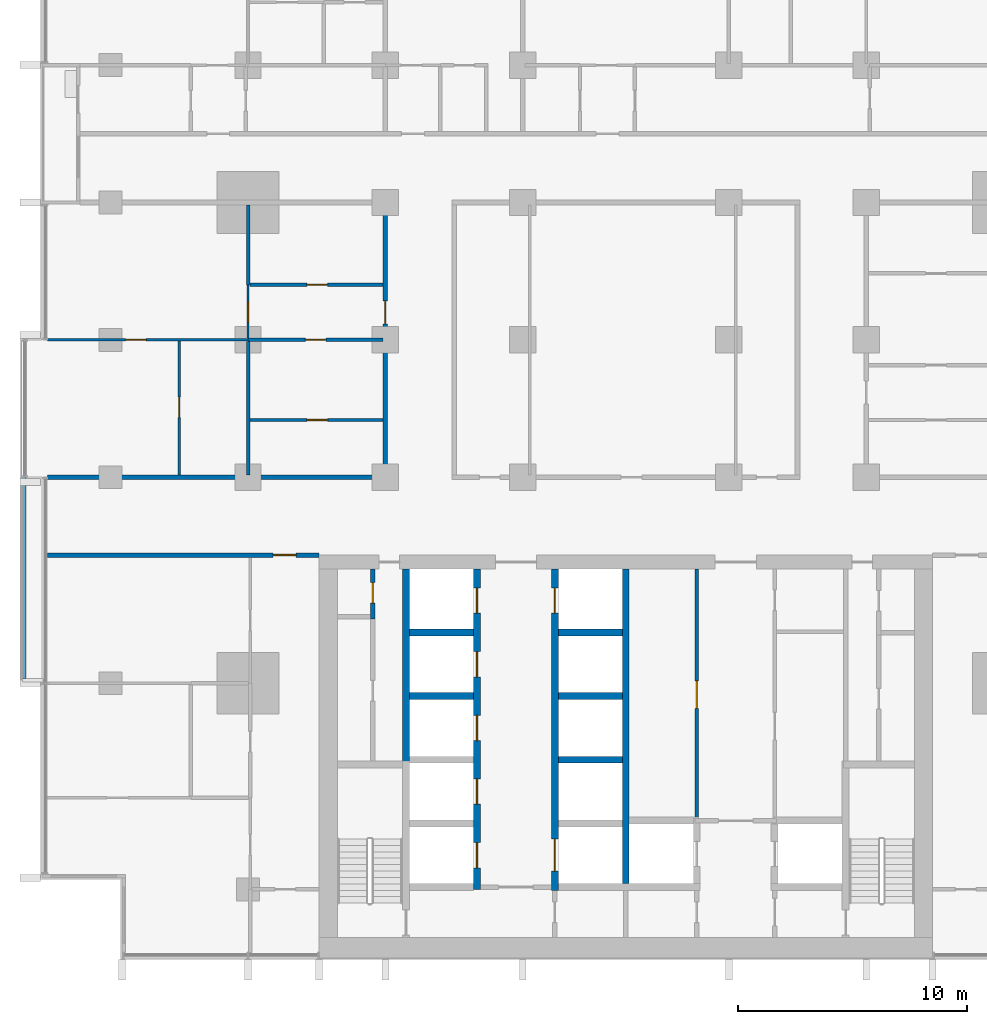
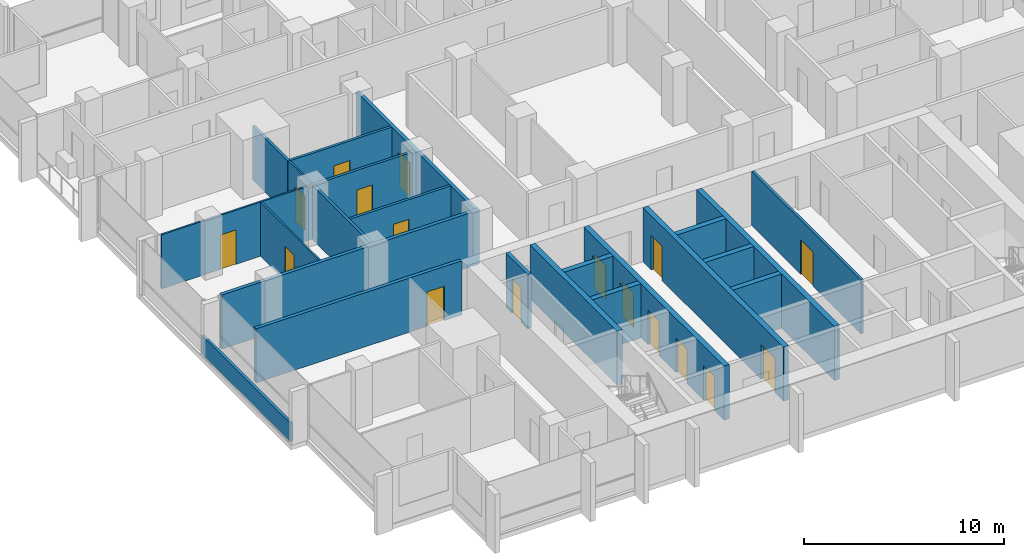
# One storey, part 8 of 18: 23 walls, 17 doors, 17 openings.
"""IFC4 building model written with IfcOpenShell, lengths in metres."""

import ifcopenshell
import ifcopenshell.guid

model = None  # the IFC model being written
_history = None  # IfcOwnerHistory: only IFC2X3 demands one
_inside = {}  # id of a spatial element -> (the spatial element, [elements in it])
_under = {}  # id of a project, library or spatial element -> (it, [spatial elements below it])
_declared = {}  # id of a project -> (the project, [libraries it declares])
_typed = {}  # id of a type object -> (the type object, [elements of that type])
_made_of = {}  # id of a material, layer set ... -> (it, [elements and type objects made of it])


def new_model(schema):
    """Start an empty IFC model of exactly this schema.

    Asked for "IFC4X3", IfcOpenShell would pick the latest addendum, in which some entities
    have other attributes; the version numbers below select the first issue.
    IFC2X3 requires an IfcOwnerHistory on every rooted entity: one is made here for all.
    """
    global model, _history
    if schema == "IFC4X3":
        model = ifcopenshell.file(schema_version=(4, 3, 0, 0))
    else:
        model = ifcopenshell.file(schema=schema)
    _inside.clear()
    _under.clear()
    _declared.clear()
    _typed.clear()
    _made_of.clear()
    _history = None
    if model.schema == "IFC2X3":
        org = make("IfcOrganization", Name="unknown")
        user = make(
            "IfcPersonAndOrganization",
            ThePerson=make("IfcPerson", FamilyName="unknown"),
            TheOrganization=org,
        )
        app = make(
            "IfcApplication",
            ApplicationDeveloper=org,
            Version="unknown",
            ApplicationFullName="unknown",
            ApplicationIdentifier="unknown",
        )
        _history = make(
            "IfcOwnerHistory",
            OwningUser=user,
            OwningApplication=app,
            ChangeAction="ADDED",
            CreationDate=0,
        )
    return model


def make(cls, **values):
    """One entity of the class cls with the attributes given. An attribute that is None is left unset."""
    return model.create_entity(
        cls, **{name: value for name, value in values.items() if value is not None}
    )


def rooted(cls, **values):
    """An entity with a GlobalId (a new one), such as an element, a storey or a relation."""
    return make(cls, GlobalId=ifcopenshell.guid.new(), OwnerHistory=_history, **values)


def si_unit(unit_type, name, prefix=None):
    """IfcSIUnit, for example si_unit("LENGTHUNIT", "METRE", prefix="MILLI")."""
    return make("IfcSIUnit", UnitType=unit_type, Prefix=prefix, Name=name)


def assignment(units):
    """IfcUnitAssignment: the units of a project."""
    return None if units is None else make("IfcUnitAssignment", Units=units)


def point(xyz):
    """IfcCartesianPoint."""
    return None if xyz is None else make("IfcCartesianPoint", Coordinates=xyz)


def direction(xyz):
    """IfcDirection."""
    return None if xyz is None else make("IfcDirection", DirectionRatios=xyz)


def frame(location, z_axis=None, x_axis=None):
    """IfcAxis2Placement3D, a coordinate frame: its origin and axes. An axis left out is left unset."""
    return make(
        "IfcAxis2Placement3D",
        Location=point(location),
        Axis=direction(z_axis),
        RefDirection=direction(x_axis),
    )


def frame_2d(location, x_axis=None):
    """IfcAxis2Placement2D, a coordinate frame in the plane: its origin and x axis."""
    return make(
        "IfcAxis2Placement2D", Location=point(location), RefDirection=direction(x_axis)
    )


def origin():
    """The frame at (0, 0, 0) with its axes left unset."""
    return frame((0.0, 0.0, 0.0))


def place(relative_to, where):
    """IfcLocalPlacement: puts the frame where relative to a parent placement (None: the world)."""
    return make(
        "IfcLocalPlacement", PlacementRelTo=relative_to, RelativePlacement=where
    )


def context(
    kind, dimensions, precision=None, world=None, true_north=None, identifier=None
):
    """IfcGeometricRepresentationContext, for example the 3D "Model" context."""
    return make(
        "IfcGeometricRepresentationContext",
        ContextIdentifier=identifier,
        ContextType=kind,
        CoordinateSpaceDimension=dimensions,
        Precision=precision,
        WorldCoordinateSystem=world,
        TrueNorth=true_north,
    )


def subcontext(parent, identifier, kind, view, scale=None):
    """IfcGeometricRepresentationSubContext, for example "Body" below "Model"."""
    return make(
        "IfcGeometricRepresentationSubContext",
        ContextIdentifier=identifier,
        ContextType=kind,
        ParentContext=parent,
        TargetScale=scale,
        TargetView=view,
    )


def project(units=None, contexts=None):
    """IfcProject with its units and contexts."""
    return rooted(
        "IfcProject",
        Name="project",
        RepresentationContexts=contexts,
        UnitsInContext=assignment(units),
    )


def spatial(cls, under=None, at=None, **own):
    """A site, building, storey or space (cls), placed at a placement, below another one or the project."""
    s = rooted(cls, ObjectPlacement=at, **own)
    if under is not None:
        _under.setdefault(under.id(), (under, []))[1].append(s)
    return s


def profile(cls, at=None, kind="AREA", **sizes):
    """A parametric profile (cls). Its sizes go by their IFC names, for example OverallWidth=200.0."""
    return make(cls, ProfileType=kind, Position=at, **sizes)


def rectangle(**sizes):
    """IfcRectangleProfileDef."""
    return profile("IfcRectangleProfileDef", **sizes)


def extrude(swept, where, along, depth):
    """IfcExtrudedAreaSolid: the profile swept, set in the frame where, extruded along a direction by depth."""
    return make(
        "IfcExtrudedAreaSolid",
        SweptArea=swept,
        Position=where,
        ExtrudedDirection=direction(along),
        Depth=depth,
    )


def shape(context_of_items, identifier, shape_type, items):
    """IfcShapeRepresentation: the items that make up one representation, for example the "Body"."""
    return make(
        "IfcShapeRepresentation",
        ContextOfItems=context_of_items,
        RepresentationIdentifier=identifier,
        RepresentationType=shape_type,
        Items=items,
    )


def material(Name=None, Category=None):
    """IfcMaterial."""
    return make("IfcMaterial", Name=Name, Category=Category)


def layer(
    of_material, thickness, ventilated=None, Name=None, Category=None, Priority=None
):
    """IfcMaterialLayer: one layer of a wall or slab, of a material (None: an air gap)."""
    return make(
        "IfcMaterialLayer",
        Material=of_material,
        LayerThickness=thickness,
        IsVentilated=ventilated,
        Name=Name,
        Category=Category,
        Priority=Priority,
    )


def layer_set(layers, Name=None):
    """IfcMaterialLayerSet."""
    return make("IfcMaterialLayerSet", MaterialLayers=layers, LayerSetName=Name)


def made_of(thing, what):
    """Note that an element or type object is made of a material, layer set ...; save() writes the relation."""
    if what is not None:
        _made_of.setdefault(what.id(), (what, []))[1].append(thing)
    return thing


def type_object(cls, material=None, **own):
    """A type object (cls), such as IfcWallType, which elements share."""
    return made_of(rooted(cls, **own), material)


def element(
    cls,
    number,
    at=None,
    inside=None,
    cuts=None,
    type_object=None,
    material=None,
    context=None,
    identifier="Body",
    shape_type=None,
    held_by="IfcProductDefinitionShape",
    body=None,
    shapes=None,
    **own,
):
    """One element of the class cls, such as IfcWall. Its Tag is "e" and its number.

    at: its placement. inside: the storey or other place that contains it. cuts: it is an
    opening in that element (IfcRelVoidsElement). A single representation is given by context,
    identifier, shape_type and body (its items); several are given by shapes. held_by: the class
    of the entity that holds the representations. save() writes the other relations.
    """
    e = rooted(cls, Tag="e%d" % number, ObjectPlacement=at, **own)
    if body is not None:
        shapes = [shape(context, identifier, shape_type, body)]
    if shapes is not None:
        e.Representation = make(held_by, Representations=shapes)
    if inside is not None:
        _inside.setdefault(inside.id(), (inside, []))[1].append(e)
    if cuts is not None:
        rooted(
            "IfcRelVoidsElement", RelatingBuildingElement=cuts, RelatedOpeningElement=e
        )
    if type_object is not None:
        _typed.setdefault(type_object.id(), (type_object, []))[1].append(e)
    return made_of(e, material)


def fill(opening, filler):
    """IfcRelFillsElement: the door or window that sits in an opening."""
    return rooted(
        "IfcRelFillsElement",
        RelatingOpeningElement=opening,
        RelatedBuildingElement=filler,
    )


def aggregate(whole, parts):
    """IfcRelAggregates: a whole, such as a stair, and the parts it consists of."""
    return rooted("IfcRelAggregates", RelatingObject=whole, RelatedObjects=parts)


def save(model, path):
    """Write the relations noted so far, then the file.

    IfcRelAggregates (storeys below a building ...), IfcRelContainedInSpatialStructure (elements
    in a storey), IfcRelDefinesByType, IfcRelAssociatesMaterial and IfcRelDeclares: one each for
    every whole, place, type object, material and project.
    """
    for whole, parts in _under.values():
        aggregate(whole, parts)
    for where, things in _inside.values():
        rooted(
            "IfcRelContainedInSpatialStructure",
            RelatedElements=things,
            RelatingStructure=where,
        )
    for kind, things in _typed.values():
        rooted("IfcRelDefinesByType", RelatedObjects=things, RelatingType=kind)
    for what, things in _made_of.values():
        rooted("IfcRelAssociatesMaterial", RelatedObjects=things, RelatingMaterial=what)
    for by, libraries in _declared.values():
        rooted("IfcRelDeclares", RelatingContext=by, RelatedDefinitions=libraries)
    model.write(path)


model = new_model("IFC4")

# Units and contexts
model_context = context("Model", 3, precision=1e-05, world=origin(), true_north=direction((0.0, 1.0)))
body_context = subcontext(model_context, "Body", "Model", "MODEL_VIEW")
ifc_project = project(units=[si_unit("LENGTHUNIT", "METRE"), si_unit("AREAUNIT", "SQUARE_METRE"), si_unit("VOLUMEUNIT", "CUBIC_METRE"), si_unit("PLANEANGLEUNIT", "RADIAN"), si_unit("MASSUNIT", "GRAM", prefix="KILO")], contexts=[model_context])

# Site, building, storey
site_placement = place(None, origin())
site = spatial("IfcSite", under=ifc_project, at=site_placement, CompositionType="ELEMENT")
building_placement = place(site_placement, origin())
building = spatial("IfcBuilding", under=site, at=building_placement, Name="Finial Court Residences", CompositionType="ELEMENT")
storey_placement = place(building_placement, frame((0.0, 0.0, 84.699951171875)))
storey = spatial("IfcBuildingStorey", under=building, at=storey_placement, Name="L20", CompositionType="ELEMENT", Elevation=84.699951171875)

# Wall, opening, door
ifc_material_1 = material(Name="Fire-rated gypsum board partition")
ifc_layer_1 = layer(ifc_material_1, 0.14990234375)
ifc_layer_set_1 = layer_set([ifc_layer_1], Name="Core room partition 150 EI 60")
wall_type_1 = type_object("IfcWallType", Name="Core room partition 150 EI 60", PredefinedType="PARTITIONING", material=ifc_layer_set_1)
wall_1_placement = place(storey_placement, frame((3.10009765625, -19.39990234375, 0.0), z_axis=(0.0, 0.0, 1.0), x_axis=(0.0, 1.0, 0.0)))
wall_1 = element("IfcWall", 1, at=wall_1_placement, inside=storey, type_object=wall_type_1, Name="Core partition L20-32", PredefinedType="PARTITIONING", context=body_context, shape_type="SweptSolid", body=[
    extrude(rectangle(XDim=10.89990234375, YDim=0.14990234375, at=frame_2d((5.449951171875, 0.0))), origin(), (0.0, 0.0, 1.0), 3.300048828125),
])
opening_1_placement = place(wall_1_placement, frame((4.800048828125, 0.0, 0.0)))
opening_1 = element("IfcOpeningElement", 2, at=opening_1_placement, cuts=wall_1, Name="Opening L20-C14", PredefinedType="OPENING", context=body_context, shape_type="SweptSolid", body=[
    extrude(rectangle(XDim=1.199951171875, YDim=2.10009765625, at=frame_2d((0.60009765625, 1.050048828125))), frame((0.0, 0.0849609375, 0.0), z_axis=(0.0, -1.0, 0.0), x_axis=(1.0, 0.0, 0.0)), (0.0, 0.0, 1.0), 0.169921875),
])
ifc_material_2 = material(Name="Steel fire door", Category="steel")
door_type_1 = type_object("IfcDoorType", Name="Core room door 1200 x 2100 EI 60", OperationType="NOTDEFINED", PredefinedType="DOOR", material=ifc_material_2)
door_1_placement = place(opening_1_placement, origin())
door_1 = element("IfcDoor", 3, at=door_1_placement, inside=storey, type_object=door_type_1, Name="Core room door L20-C14", OperationType="SINGLE_SWING_LEFT", OverallHeight=2.10009765625, OverallWidth=1.199951171875, PredefinedType="DOOR", context=body_context, shape_type="SweptSolid", body=[
    extrude(rectangle(XDim=1.199951171875, YDim=2.10009765625, at=frame_2d((0.60009765625, 1.050048828125))), frame((0.0, 0.02490234375, 0.0), z_axis=(0.0, -1.0, 0.0), x_axis=(1.0, 0.0, 0.0)), (0.0, 0.0, 1.0), 0.050048828125),
])
fill(opening_1, door_1)

ifc_material_3 = material(Name="Gypsum board")
ifc_layer_2 = layer(ifc_material_3, 0.02490234375)
ifc_material_4 = material(Name="Acoustic mineral wool in double frame")
ifc_layer_3 = layer(ifc_material_4, 0.14990234375)
ifc_layer_4 = layer(ifc_material_3, 0.02490234375)
ifc_layer_set_2 = layer_set([ifc_layer_2, ifc_layer_3, ifc_layer_4], Name="Corridor wall 200, 1 hour")
wall_type_2 = type_object("IfcWallType", Name="Corridor wall 200, 1 hour", PredefinedType="PARTITIONING", material=ifc_layer_set_2)
wall_2_placement = place(storey_placement, frame((-25.25, -7.89990234375, 0.0), z_axis=(0.0, 0.0, 1.0), x_axis=(1.0, 0.0, 0.0)))
wall_2 = element("IfcWall", 4, at=wall_2_placement, inside=storey, type_object=wall_type_2, Name="Partition L20-009", PredefinedType="PARTITIONING", context=body_context, shape_type="SweptSolid", body=[
    extrude(rectangle(XDim=11.85009765625, YDim=0.199951171875, at=frame_2d((5.925048828125, 0.0))), origin(), (0.0, 0.0, 1.0), 3.300048828125),
])
opening_2_placement = place(wall_2_placement, frame((9.85009765625, 0.0, 0.0)))
opening_2 = element("IfcOpeningElement", 5, at=opening_2_placement, cuts=wall_2, Name="Opening L20-D005", PredefinedType="OPENING", context=body_context, shape_type="SweptSolid", body=[
    extrude(rectangle(XDim=1.0, YDim=2.10009765625, at=frame_2d((0.5, 1.050048828125))), frame((0.0, 0.10986328125, 0.0), z_axis=(0.0, -1.0, 0.0), x_axis=(1.0, 0.0, 0.0)), (0.0, 0.0, 1.0), 0.219970703125),
])
ifc_material_5 = material(Name="Timber door leaf in hollow metal frame", Category="wood")
door_type_2 = type_object("IfcDoorType", Name="Fire door set 1000 x 2100, 30 minutes", OperationType="SINGLE_SWING_LEFT", PredefinedType="DOOR", material=ifc_material_5)
door_2_placement = place(opening_2_placement, origin())
door_2 = element("IfcDoor", 6, at=door_2_placement, inside=storey, type_object=door_type_2, Name="Door L20-D005", OperationType="SINGLE_SWING_RIGHT", OverallHeight=2.10009765625, OverallWidth=1.0, PredefinedType="DOOR", context=body_context, shape_type="SweptSolid", body=[
    extrude(rectangle(XDim=1.0, YDim=2.10009765625, at=frame_2d((0.5, 1.050048828125))), frame((0.0, 0.02490234375, 0.0), z_axis=(0.0, -1.0, 0.0), x_axis=(1.0, 0.0, 0.0)), (0.0, 0.0, 1.0), 0.050048828125),
])
fill(opening_2, door_2)

# Wall
wall_3_placement = place(storey_placement, frame((-25.25, -4.5, 0.0), z_axis=(0.0, 0.0, 1.0), x_axis=(1.0, 0.0, 0.0)))
element("IfcWall", 7, at=wall_3_placement, inside=storey, type_object=wall_type_2, Name="Partition L20-011", PredefinedType="PARTITIONING", context=body_context, shape_type="SweptSolid", body=[
    extrude(rectangle(XDim=14.85009765625, YDim=0.199951171875, at=frame_2d((7.425048828125, 0.0))), origin(), (0.0, 0.0, 1.0), 3.300048828125),
])

# Wall, opening, door
wall_4_placement = place(storey_placement, frame((-10.5, -4.39990234375, 0.0), z_axis=(0.0, 0.0, 1.0), x_axis=(0.0, 1.0, 0.0)))
wall_4 = element("IfcWall", 8, at=wall_4_placement, inside=storey, type_object=wall_type_2, Name="Partition L20-054", PredefinedType="PARTITIONING", context=body_context, shape_type="SweptSolid", body=[
    extrude(rectangle(XDim=11.7998046875, YDim=0.199951171875, at=frame_2d((5.89990234375, 0.0))), origin(), (0.0, 0.0, 1.0), 3.300048828125),
])
opening_3_placement = place(wall_4_placement, frame((6.60009765625, 0.0, 0.0)))
opening_3 = element("IfcOpeningElement", 9, at=opening_3_placement, cuts=wall_4, Name="Opening L20-D040", PredefinedType="OPENING", context=body_context, shape_type="SweptSolid", body=[
    extrude(rectangle(XDim=1.0, YDim=2.10009765625, at=frame_2d((0.5, 1.050048828125))), frame((0.0, 0.10986328125, 0.0), z_axis=(0.0, -1.0, 0.0), x_axis=(1.0, 0.0, 0.0)), (0.0, 0.0, 1.0), 0.219970703125),
])
door_3_placement = place(opening_3_placement, origin())
door_3 = element("IfcDoor", 10, at=door_3_placement, inside=storey, type_object=door_type_2, Name="Door L20-D040", OperationType="SINGLE_SWING_LEFT", OverallHeight=2.10009765625, OverallWidth=1.0, PredefinedType="DOOR", context=body_context, shape_type="SweptSolid", body=[
    extrude(rectangle(XDim=1.0, YDim=2.10009765625, at=frame_2d((0.5, 1.050048828125))), frame((0.0, 0.02490234375, 0.0), z_axis=(0.0, -1.0, 0.0), x_axis=(1.0, 0.0, 0.0)), (0.0, 0.0, 1.0), 0.050048828125),
])
fill(opening_3, door_3)

ifc_layer_5 = layer(ifc_material_3, 0.012451171875)
ifc_material_6 = material(Name="Mineral wool in light-gauge frame")
ifc_layer_6 = layer(ifc_material_6, 0.074951171875)
ifc_layer_7 = layer(ifc_material_3, 0.012451171875)
ifc_layer_set_3 = layer_set([ifc_layer_5, ifc_layer_6, ifc_layer_7], Name="Gypsum board partition 100")
wall_type_3 = type_object("IfcWallType", Name="Gypsum board partition 100", PredefinedType="PARTITIONING", material=ifc_layer_set_3)
wall_5_placement = place(storey_placement, frame((-25.25, 1.5, 0.0), z_axis=(0.0, 0.0, 1.0), x_axis=(1.0, 0.0, 0.0)))
wall_5 = element("IfcWall", 11, at=wall_5_placement, inside=storey, type_object=wall_type_3, Name="Partition L20-017", PredefinedType="PARTITIONING", context=body_context, shape_type="SweptSolid", body=[
    extrude(rectangle(XDim=8.75, YDim=0.10009765625, at=frame_2d((4.375, 0.0))), origin(), (0.0, 0.0, 1.0), 3.300048828125),
])
opening_4_placement = place(wall_5_placement, frame((3.39990234375, 0.0, 0.0)))
opening_4 = element("IfcOpeningElement", 12, at=opening_4_placement, cuts=wall_5, Name="Opening L20-D013", PredefinedType="OPENING", context=body_context, shape_type="SweptSolid", body=[
    extrude(rectangle(XDim=0.89990234375, YDim=2.10009765625, at=frame_2d((0.449951171875, 1.050048828125))), frame((0.0, 0.06005859375, 0.0), z_axis=(0.0, -1.0, 0.0), x_axis=(1.0, 0.0, 0.0)), (0.0, 0.0, 1.0), 0.1201171875),
])
ifc_material_7 = material(Name="Timber door leaf in timber frame", Category="wood")
door_type_3 = type_object("IfcDoorType", Name="Door set 900 x 2100", OperationType="SINGLE_SWING_LEFT", PredefinedType="DOOR", material=ifc_material_7)
door_4_placement = place(opening_4_placement, origin())
door_4 = element("IfcDoor", 13, at=door_4_placement, inside=storey, type_object=door_type_3, Name="Door L20-D013", OperationType="SINGLE_SWING_LEFT", OverallHeight=2.10009765625, OverallWidth=0.89990234375, PredefinedType="DOOR", context=body_context, shape_type="SweptSolid", body=[
    extrude(rectangle(XDim=0.89990234375, YDim=2.10009765625, at=frame_2d((0.449951171875, 1.050048828125))), frame((0.0, 0.02490234375, 0.0), z_axis=(0.0, -1.0, 0.0), x_axis=(1.0, 0.0, 0.0)), (0.0, 0.0, 1.0), 0.050048828125),
])
fill(opening_4, door_4)

wall_6_placement = place(storey_placement, frame((-19.5, -4.39990234375, 0.0), z_axis=(0.0, 0.0, 1.0), x_axis=(0.0, 1.0, 0.0)))
wall_6 = element("IfcWall", 14, at=wall_6_placement, inside=storey, type_object=wall_type_3, Name="Partition L20-041", PredefinedType="PARTITIONING", context=body_context, shape_type="SweptSolid", body=[
    extrude(rectangle(XDim=5.849853515625, YDim=0.10009765625, at=frame_2d((2.9248046875, 0.0))), origin(), (0.0, 0.0, 1.0), 3.300048828125),
])
opening_5_placement = place(wall_6_placement, frame((2.5, 0.0, 0.0)))
opening_5 = element("IfcOpeningElement", 15, at=opening_5_placement, cuts=wall_6, Name="Opening L20-D032", PredefinedType="OPENING", context=body_context, shape_type="SweptSolid", body=[
    extrude(rectangle(XDim=0.89990234375, YDim=2.10009765625, at=frame_2d((0.449951171875, 1.050048828125))), frame((0.0, 0.06005859375, 0.0), z_axis=(0.0, -1.0, 0.0), x_axis=(1.0, 0.0, 0.0)), (0.0, 0.0, 1.0), 0.1201171875),
])
door_5_placement = place(opening_5_placement, origin())
door_5 = element("IfcDoor", 16, at=door_5_placement, inside=storey, type_object=door_type_3, Name="Door L20-D032", OperationType="SINGLE_SWING_RIGHT", OverallHeight=2.10009765625, OverallWidth=0.89990234375, PredefinedType="DOOR", context=body_context, shape_type="SweptSolid", body=[
    extrude(rectangle(XDim=0.89990234375, YDim=2.10009765625, at=frame_2d((0.449951171875, 1.050048828125))), frame((0.0, 0.02490234375, 0.0), z_axis=(0.0, -1.0, 0.0), x_axis=(1.0, 0.0, 0.0)), (0.0, 0.0, 1.0), 0.050048828125),
])
fill(opening_5, door_5)

wall_7_placement = place(storey_placement, frame((-16.5, 1.574951171875, 0.0), z_axis=(0.0, 0.0, 1.0), x_axis=(0.0, 1.0, 0.0)))
wall_7 = element("IfcWall", 17, at=wall_7_placement, inside=storey, type_object=wall_type_3, Name="Partition L20-045", PredefinedType="PARTITIONING", context=body_context, shape_type="SweptSolid", body=[
    extrude(rectangle(XDim=2.324951171875, YDim=0.10009765625, at=frame_2d((1.16259765625, 0.0))), origin(), (0.0, 0.0, 1.0), 3.300048828125),
])
opening_6_placement = place(wall_7_placement, frame((0.699951171875, 0.0, 0.0)))
opening_6 = element("IfcOpeningElement", 18, at=opening_6_placement, cuts=wall_7, Name="Opening L20-D035", PredefinedType="OPENING", context=body_context, shape_type="SweptSolid", body=[
    extrude(rectangle(XDim=0.89990234375, YDim=2.10009765625, at=frame_2d((0.449951171875, 1.050048828125))), frame((0.0, 0.06005859375, 0.0), z_axis=(0.0, -1.0, 0.0), x_axis=(1.0, 0.0, 0.0)), (0.0, 0.0, 1.0), 0.1201171875),
])
door_6_placement = place(opening_6_placement, origin())
door_6 = element("IfcDoor", 19, at=door_6_placement, inside=storey, type_object=door_type_3, Name="Door L20-D035", OperationType="SINGLE_SWING_RIGHT", OverallHeight=2.10009765625, OverallWidth=0.89990234375, PredefinedType="DOOR", context=body_context, shape_type="SweptSolid", body=[
    extrude(rectangle(XDim=0.89990234375, YDim=2.10009765625, at=frame_2d((0.449951171875, 1.050048828125))), frame((0.0, 0.02490234375, 0.0), z_axis=(0.0, -1.0, 0.0), x_axis=(1.0, 0.0, 0.0)), (0.0, 0.0, 1.0), 0.050048828125),
])
fill(opening_6, door_6)

ifc_material_8 = material(Name="Moisture-resistant gypsum board")
ifc_layer_8 = layer(ifc_material_8, 0.012451171875)
ifc_layer_9 = layer(ifc_material_6, 0.125)
ifc_layer_10 = layer(ifc_material_8, 0.012451171875)
ifc_layer_set_4 = layer_set([ifc_layer_8, ifc_layer_9, ifc_layer_10], Name="Gypsum board wet-area partition 150")
wall_type_4 = type_object("IfcWallType", Name="Gypsum board wet-area partition 150", PredefinedType="PARTITIONING", material=ifc_layer_set_4)
wall_8_placement = place(storey_placement, frame((-16.425048828125, -2.0, 0.0), z_axis=(0.0, 0.0, 1.0), x_axis=(1.0, 0.0, 0.0)))
wall_8 = element("IfcWall", 20, at=wall_8_placement, inside=storey, type_object=wall_type_4, Name="Partition L20-014", PredefinedType="PARTITIONING", context=body_context, shape_type="SweptSolid", body=[
    extrude(rectangle(XDim=5.824951171875, YDim=0.14990234375, at=frame_2d((2.91259765625, 0.0))), origin(), (0.0, 0.0, 1.0), 3.300048828125),
])
opening_7_placement = place(wall_8_placement, frame((2.5, 0.0, 0.0)))
opening_7 = element("IfcOpeningElement", 21, at=opening_7_placement, cuts=wall_8, Name="Opening L20-D010", PredefinedType="OPENING", context=body_context, shape_type="SweptSolid", body=[
    extrude(rectangle(XDim=0.89990234375, YDim=2.10009765625, at=frame_2d((0.449951171875, 1.050048828125))), frame((0.0, 0.0849609375, 0.0), z_axis=(0.0, -1.0, 0.0), x_axis=(1.0, 0.0, 0.0)), (0.0, 0.0, 1.0), 0.169921875),
])
door_7_placement = place(opening_7_placement, origin())
door_7 = element("IfcDoor", 22, at=door_7_placement, inside=storey, type_object=door_type_3, Name="Door L20-D010", OperationType="SINGLE_SWING_LEFT", OverallHeight=2.10009765625, OverallWidth=0.89990234375, PredefinedType="DOOR", context=body_context, shape_type="SweptSolid", body=[
    extrude(rectangle(XDim=0.89990234375, YDim=2.10009765625, at=frame_2d((0.449951171875, 1.050048828125))), frame((0.0, 0.02490234375, 0.0), z_axis=(0.0, -1.0, 0.0), x_axis=(1.0, 0.0, 0.0)), (0.0, 0.0, 1.0), 0.050048828125),
])
fill(opening_7, door_7)

wall_9_placement = place(storey_placement, frame((-16.5, 1.5, 0.0), z_axis=(0.0, 0.0, 1.0), x_axis=(1.0, 0.0, 0.0)))
wall_9 = element("IfcWall", 23, at=wall_9_placement, inside=storey, type_object=wall_type_4, Name="Partition L20-019", PredefinedType="PARTITIONING", context=body_context, shape_type="SweptSolid", body=[
    extrude(rectangle(XDim=5.89990234375, YDim=0.14990234375, at=frame_2d((2.949951171875, 0.0))), origin(), (0.0, 0.0, 1.0), 3.300048828125),
])
opening_8_placement = place(wall_9_placement, frame((2.5, 0.0, 0.0)))
opening_8 = element("IfcOpeningElement", 24, at=opening_8_placement, cuts=wall_9, Name="Opening L20-D015", PredefinedType="OPENING", context=body_context, shape_type="SweptSolid", body=[
    extrude(rectangle(XDim=0.89990234375, YDim=2.10009765625, at=frame_2d((0.449951171875, 1.050048828125))), frame((0.0, 0.0849609375, 0.0), z_axis=(0.0, -1.0, 0.0), x_axis=(1.0, 0.0, 0.0)), (0.0, 0.0, 1.0), 0.169921875),
])
door_8_placement = place(opening_8_placement, origin())
door_8 = element("IfcDoor", 25, at=door_8_placement, inside=storey, type_object=door_type_3, Name="Door L20-D015", OperationType="SINGLE_SWING_RIGHT", OverallHeight=2.10009765625, OverallWidth=0.89990234375, PredefinedType="DOOR", context=body_context, shape_type="SweptSolid", body=[
    extrude(rectangle(XDim=0.89990234375, YDim=2.10009765625, at=frame_2d((0.449951171875, 1.050048828125))), frame((0.0, 0.02490234375, 0.0), z_axis=(0.0, -1.0, 0.0), x_axis=(1.0, 0.0, 0.0)), (0.0, 0.0, 1.0), 0.050048828125),
])
fill(opening_8, door_8)

wall_10_placement = place(storey_placement, frame((-16.425048828125, 3.89990234375, 0.0), z_axis=(0.0, 0.0, 1.0), x_axis=(1.0, 0.0, 0.0)))
wall_10 = element("IfcWall", 26, at=wall_10_placement, inside=storey, type_object=wall_type_4, Name="Partition L20-020", PredefinedType="PARTITIONING", context=body_context, shape_type="SweptSolid", body=[
    extrude(rectangle(XDim=5.824951171875, YDim=0.14990234375, at=frame_2d((2.91259765625, 0.0))), origin(), (0.0, 0.0, 1.0), 3.300048828125),
])
opening_9_placement = place(wall_10_placement, frame((2.5, 0.0, 0.0)))
opening_9 = element("IfcOpeningElement", 27, at=opening_9_placement, cuts=wall_10, Name="Opening L20-D016", PredefinedType="OPENING", context=body_context, shape_type="SweptSolid", body=[
    extrude(rectangle(XDim=0.89990234375, YDim=2.10009765625, at=frame_2d((0.449951171875, 1.050048828125))), frame((0.0, 0.0849609375, 0.0), z_axis=(0.0, -1.0, 0.0), x_axis=(1.0, 0.0, 0.0)), (0.0, 0.0, 1.0), 0.169921875),
])
door_9_placement = place(opening_9_placement, origin())
door_9 = element("IfcDoor", 28, at=door_9_placement, inside=storey, type_object=door_type_3, Name="Door L20-D016", OperationType="SINGLE_SWING_RIGHT", OverallHeight=2.10009765625, OverallWidth=0.89990234375, PredefinedType="DOOR", context=body_context, shape_type="SweptSolid", body=[
    extrude(rectangle(XDim=0.89990234375, YDim=2.10009765625, at=frame_2d((0.449951171875, 1.050048828125))), frame((0.0, 0.02490234375, 0.0), z_axis=(0.0, -1.0, 0.0), x_axis=(1.0, 0.0, 0.0)), (0.0, 0.0, 1.0), 0.050048828125),
])
fill(opening_9, door_9)

# Walls
wall_11_placement = place(storey_placement, frame((-16.5, -4.39990234375, 0.0), z_axis=(0.0, 0.0, 1.0), x_axis=(0.0, 1.0, 0.0)))
element("IfcWall", 29, at=wall_11_placement, inside=storey, type_object=wall_type_4, Name="Partition L20-047", PredefinedType="PARTITIONING", context=body_context, shape_type="SweptSolid", body=[
    extrude(rectangle(XDim=5.824951171875, YDim=0.14990234375, at=frame_2d((2.91259765625, 0.0))), origin(), (0.0, 0.0, 1.0), 3.300048828125),
])
wall_12_placement = place(storey_placement, frame((-16.5, 3.89990234375, 0.0), z_axis=(0.0, 0.0, 1.0), x_axis=(0.0, 1.0, 0.0)))
element("IfcWall", 30, at=wall_12_placement, inside=storey, type_object=wall_type_4, Name="Partition L20-048", PredefinedType="PARTITIONING", context=body_context, shape_type="SweptSolid", body=[
    extrude(rectangle(XDim=3.5, YDim=0.14990234375, at=frame_2d((1.75, 0.0))), origin(), (0.0, 0.0, 1.0), 3.300048828125),
])
ifc_material_9 = material(Name="Concrete C35/45", Category="concrete")
ifc_layer_11 = layer(ifc_material_9, 0.14990234375)
ifc_layer_set_5 = layer_set([ifc_layer_11], Name="Ledge parapet, Concrete C35/45 150")
wall_type_5 = type_object("IfcWallType", Name="Ledge parapet, Concrete C35/45 150", PredefinedType="PARAPET", material=ifc_layer_set_5)
wall_13_placement = place(storey_placement, frame((-26.27490234375, -13.300048828125, 0.0), z_axis=(0.0, 0.0, 1.0), x_axis=(0.0, 1.0, 0.0)))
element("IfcWall", 31, at=wall_13_placement, inside=storey, type_object=wall_type_5, Name="E-L20-LED1-P2", PredefinedType="PARAPET", context=body_context, shape_type="SweptSolid", body=[
    extrude(rectangle(XDim=8.840087890625, YDim=0.14990234375, at=frame_2d((4.419921875, 0.0))), origin(), (0.0, 0.0, 1.0), 1.150146484375),
])
ifc_material_10 = material(Name="Concrete C70/85", Category="concrete")
ifc_layer_12 = layer(ifc_material_10, 0.300048828125)
ifc_layer_set_6 = layer_set([ifc_layer_12], Name="Lift shaft and stair wall 300 Concrete C70/85")
wall_type_6 = type_object("IfcWallType", Name="Lift shaft and stair wall 300 Concrete C70/85", PredefinedType="SHEAR", material=ifc_layer_set_6)
for number, where, z_axis, x_axis, name in (
    (32, (-2.949951171875, -16.840087890625, 0.0), (0.0, 0.0, 1.0), (1.0, 0.0, 0.0), "Core wall L20-13"),
    (33, (-9.449951171875, -14.06005859375, 0.0), (0.0, 0.0, 1.0), (1.0, 0.0, 0.0), "Core wall L20-14"),
    (34, (-2.949951171875, -14.06005859375, 0.0), (0.0, 0.0, 1.0), (1.0, 0.0, 0.0), "Core wall L20-15"),
    (35, (-9.449951171875, -11.280029296875, 0.0), (0.0, 0.0, 1.0), (1.0, 0.0, 0.0), "Core wall L20-17"),
    (36, (-2.949951171875, -11.280029296875, 0.0), (0.0, 0.0, 1.0), (1.0, 0.0, 0.0), "Core wall L20-18"),
):
    element("IfcWall", number, at=place(storey_placement, frame(where, z_axis=z_axis, x_axis=x_axis)), inside=storey, type_object=wall_type_6, Name=name, PredefinedType="SHEAR", context=body_context, shape_type="SweptSolid", body=[
        extrude(rectangle(XDim=2.800048828125, YDim=0.300048828125, at=frame_2d((1.39990234375, 0.0))), origin(), (0.0, 0.0, 1.0), 3.300048828125),
    ])
wall_14_placement = place(storey_placement, frame((-9.60009765625, -17.199951171875, 0.0), z_axis=(0.0, 0.0, 1.0), x_axis=(0.0, 1.0, 0.0)))
element("IfcWall", 37, at=wall_14_placement, inside=storey, type_object=wall_type_6, Name="Core wall L20-24", PredefinedType="SHEAR", context=body_context, shape_type="SweptSolid", body=[
    extrude(rectangle(XDim=8.699951171875, YDim=0.300048828125, at=frame_2d((4.35009765625, 0.0))), origin(), (0.0, 0.0, 1.0), 3.300048828125),
])

# Wall, openings, doors
wall_15_placement = place(storey_placement, frame((-6.5, -22.5, 0.0), z_axis=(0.0, 0.0, 1.0), x_axis=(0.0, 1.0, 0.0)))
wall_15 = element("IfcWall", 38, at=wall_15_placement, inside=storey, type_object=wall_type_6, Name="Core wall L20-25", PredefinedType="SHEAR", context=body_context, shape_type="SweptSolid", body=[
    extrude(rectangle(XDim=14.0, YDim=0.300048828125, at=frame_2d((7.0, 0.0))), origin(), (0.0, 0.0, 1.0), 3.300048828125),
])
opening_10_placement = place(wall_15_placement, frame((0.93994140625, 0.0, 0.0)))
opening_10 = element("IfcOpeningElement", 39, at=opening_10_placement, cuts=wall_15, Name="Opening L20-LD03", PredefinedType="OPENING", context=body_context, shape_type="SweptSolid", body=[
    extrude(rectangle(XDim=1.10009765625, YDim=2.10009765625, at=frame_2d((0.550048828125, 1.050048828125))), frame((0.0, 0.159912109375, 0.0), z_axis=(0.0, -1.0, 0.0), x_axis=(1.0, 0.0, 0.0)), (0.0, 0.0, 1.0), 0.320068359375),
])
opening_11_placement = place(wall_15_placement, frame((3.719970703125, 0.0, 0.0)))
opening_11 = element("IfcOpeningElement", 40, at=opening_11_placement, cuts=wall_15, Name="Opening L20-LD04", PredefinedType="OPENING", context=body_context, shape_type="SweptSolid", body=[
    extrude(rectangle(XDim=1.10009765625, YDim=2.10009765625, at=frame_2d((0.550048828125, 1.050048828125))), frame((0.0, 0.159912109375, 0.0), z_axis=(0.0, -1.0, 0.0), x_axis=(1.0, 0.0, 0.0)), (0.0, 0.0, 1.0), 0.320068359375),
])
opening_12_placement = place(wall_15_placement, frame((6.5, 0.0, 0.0)))
opening_12 = element("IfcOpeningElement", 41, at=opening_12_placement, cuts=wall_15, Name="Opening L20-LD05", PredefinedType="OPENING", context=body_context, shape_type="SweptSolid", body=[
    extrude(rectangle(XDim=1.10009765625, YDim=2.10009765625, at=frame_2d((0.550048828125, 1.050048828125))), frame((0.0, 0.159912109375, 0.0), z_axis=(0.0, -1.0, 0.0), x_axis=(1.0, 0.0, 0.0)), (0.0, 0.0, 1.0), 0.320068359375),
])
opening_13_placement = place(wall_15_placement, frame((9.280029296875, 0.0, 0.0)))
opening_13 = element("IfcOpeningElement", 42, at=opening_13_placement, cuts=wall_15, Name="Opening L20-LD06", PredefinedType="OPENING", context=body_context, shape_type="SweptSolid", body=[
    extrude(rectangle(XDim=1.10009765625, YDim=2.10009765625, at=frame_2d((0.550048828125, 1.050048828125))), frame((0.0, 0.159912109375, 0.0), z_axis=(0.0, -1.0, 0.0), x_axis=(1.0, 0.0, 0.0)), (0.0, 0.0, 1.0), 0.320068359375),
])
opening_14_placement = place(wall_15_placement, frame((12.06005859375, 0.0, 0.0)))
opening_14 = element("IfcOpeningElement", 43, at=opening_14_placement, cuts=wall_15, Name="Opening L20-LD07", PredefinedType="OPENING", context=body_context, shape_type="SweptSolid", body=[
    extrude(rectangle(XDim=1.10009765625, YDim=2.10009765625, at=frame_2d((0.550048828125, 1.050048828125))), frame((0.0, 0.159912109375, 0.0), z_axis=(0.0, -1.0, 0.0), x_axis=(1.0, 0.0, 0.0)), (0.0, 0.0, 1.0), 0.320068359375),
])
ifc_material_11 = material(Name="Stainless steel lift door", Category="steel")
door_type_4 = type_object("IfcDoorType", Name="Lift landing door 1100 x 2100 EI 90", OperationType="DOUBLE_DOOR_SLIDING", PredefinedType="DOOR", material=ifc_material_11)
door_10_placement = place(opening_10_placement, origin())
door_10 = element("IfcDoor", 44, at=door_10_placement, inside=storey, type_object=door_type_4, Name="Lift landing door LR1 L20", OperationType="DOUBLE_DOOR_SLIDING", OverallHeight=2.10009765625, OverallWidth=1.10009765625, PredefinedType="DOOR", context=body_context, shape_type="SweptSolid", body=[
    extrude(rectangle(XDim=1.10009765625, YDim=2.10009765625, at=frame_2d((0.550048828125, 1.050048828125))), frame((0.0, 0.02490234375, 0.0), z_axis=(0.0, -1.0, 0.0), x_axis=(1.0, 0.0, 0.0)), (0.0, 0.0, 1.0), 0.050048828125),
])
fill(opening_10, door_10)
door_11_placement = place(opening_11_placement, origin())
door_11 = element("IfcDoor", 45, at=door_11_placement, inside=storey, type_object=door_type_4, Name="Lift landing door LR2 L20", OperationType="DOUBLE_DOOR_SLIDING", OverallHeight=2.10009765625, OverallWidth=1.10009765625, PredefinedType="DOOR", context=body_context, shape_type="SweptSolid", body=[
    extrude(rectangle(XDim=1.10009765625, YDim=2.10009765625, at=frame_2d((0.550048828125, 1.050048828125))), frame((0.0, 0.02490234375, 0.0), z_axis=(0.0, -1.0, 0.0), x_axis=(1.0, 0.0, 0.0)), (0.0, 0.0, 1.0), 0.050048828125),
])
fill(opening_11, door_11)
door_12_placement = place(opening_12_placement, origin())
door_12 = element("IfcDoor", 46, at=door_12_placement, inside=storey, type_object=door_type_4, Name="Lift landing door LR3 L20", OperationType="DOUBLE_DOOR_SLIDING", OverallHeight=2.10009765625, OverallWidth=1.10009765625, PredefinedType="DOOR", context=body_context, shape_type="SweptSolid", body=[
    extrude(rectangle(XDim=1.10009765625, YDim=2.10009765625, at=frame_2d((0.550048828125, 1.050048828125))), frame((0.0, 0.02490234375, 0.0), z_axis=(0.0, -1.0, 0.0), x_axis=(1.0, 0.0, 0.0)), (0.0, 0.0, 1.0), 0.050048828125),
])
fill(opening_12, door_12)
door_13_placement = place(opening_13_placement, origin())
door_13 = element("IfcDoor", 47, at=door_13_placement, inside=storey, type_object=door_type_4, Name="Lift landing door LR4 L20", OperationType="DOUBLE_DOOR_SLIDING", OverallHeight=2.10009765625, OverallWidth=1.10009765625, PredefinedType="DOOR", context=body_context, shape_type="SweptSolid", body=[
    extrude(rectangle(XDim=1.10009765625, YDim=2.10009765625, at=frame_2d((0.550048828125, 1.050048828125))), frame((0.0, 0.02490234375, 0.0), z_axis=(0.0, -1.0, 0.0), x_axis=(1.0, 0.0, 0.0)), (0.0, 0.0, 1.0), 0.050048828125),
])
fill(opening_13, door_13)
door_14_placement = place(opening_14_placement, origin())
door_14 = element("IfcDoor", 48, at=door_14_placement, inside=storey, type_object=door_type_4, Name="Lift landing door LR5 L20", OperationType="DOUBLE_DOOR_SLIDING", OverallHeight=2.10009765625, OverallWidth=1.10009765625, PredefinedType="DOOR", context=body_context, shape_type="SweptSolid", body=[
    extrude(rectangle(XDim=1.10009765625, YDim=2.10009765625, at=frame_2d((0.550048828125, 1.050048828125))), frame((0.0, 0.02490234375, 0.0), z_axis=(0.0, -1.0, 0.0), x_axis=(1.0, 0.0, 0.0)), (0.0, 0.0, 1.0), 0.050048828125),
])
fill(opening_14, door_14)

wall_16_placement = place(storey_placement, frame((-3.10009765625, -22.550048828125, 0.0), z_axis=(0.0, 0.0, 1.0), x_axis=(0.0, 1.0, 0.0)))
wall_16 = element("IfcWall", 49, at=wall_16_placement, inside=storey, type_object=wall_type_6, Name="Core wall L20-27", PredefinedType="SHEAR", context=body_context, shape_type="SweptSolid", body=[
    extrude(rectangle(XDim=14.050048828125, YDim=0.300048828125, at=frame_2d((7.02490234375, 0.0))), origin(), (0.0, 0.0, 1.0), 3.300048828125),
])
opening_15_placement = place(wall_16_placement, frame((12.110107421875, 0.0, 0.0)))
opening_15 = element("IfcOpeningElement", 50, at=opening_15_placement, cuts=wall_16, Name="Opening L20-LD08", PredefinedType="OPENING", context=body_context, shape_type="SweptSolid", body=[
    extrude(rectangle(XDim=1.10009765625, YDim=2.10009765625, at=frame_2d((0.550048828125, 1.050048828125))), frame((0.0, 0.159912109375, 0.0), z_axis=(0.0, -1.0, 0.0), x_axis=(1.0, 0.0, 0.0)), (0.0, 0.0, 1.0), 0.320068359375),
])
opening_16_placement = place(wall_16_placement, frame((0.840087890625, 0.0, 0.0)))
opening_16 = element("IfcOpeningElement", 51, at=opening_16_placement, cuts=wall_16, Name="Opening L20-LD09", PredefinedType="OPENING", context=body_context, shape_type="SweptSolid", body=[
    extrude(rectangle(XDim=1.39990234375, YDim=2.10009765625, at=frame_2d((0.699951171875, 1.050048828125))), frame((0.0, 0.159912109375, 0.0), z_axis=(0.0, -1.0, 0.0), x_axis=(1.0, 0.0, 0.0)), (0.0, 0.0, 1.0), 0.320068359375),
])
door_15_placement = place(opening_15_placement, origin())
door_15 = element("IfcDoor", 52, at=door_15_placement, inside=storey, type_object=door_type_4, Name="Lift landing door LR6 L20", OperationType="DOUBLE_DOOR_SLIDING", OverallHeight=2.10009765625, OverallWidth=1.10009765625, PredefinedType="DOOR", context=body_context, shape_type="SweptSolid", body=[
    extrude(rectangle(XDim=1.10009765625, YDim=2.10009765625, at=frame_2d((0.550048828125, 1.050048828125))), frame((0.0, 0.02490234375, 0.0), z_axis=(0.0, -1.0, 0.0), x_axis=(1.0, 0.0, 0.0)), (0.0, 0.0, 1.0), 0.050048828125),
])
fill(opening_15, door_15)
door_type_5 = type_object("IfcDoorType", Name="Lift landing door 1400 x 2100 EI 90", OperationType="DOUBLE_DOOR_SLIDING", PredefinedType="DOOR", material=ifc_material_11)
door_16_placement = place(opening_16_placement, origin())
door_16 = element("IfcDoor", 53, at=door_16_placement, inside=storey, type_object=door_type_5, Name="Lift landing door SV1 L20", OperationType="DOUBLE_DOOR_SLIDING", OverallHeight=2.10009765625, OverallWidth=1.39990234375, PredefinedType="DOOR", context=body_context, shape_type="SweptSolid", body=[
    extrude(rectangle(XDim=1.39990234375, YDim=2.10009765625, at=frame_2d((0.699951171875, 1.050048828125))), frame((0.0, 0.02490234375, 0.0), z_axis=(0.0, -1.0, 0.0), x_axis=(1.0, 0.0, 0.0)), (0.0, 0.0, 1.0), 0.050048828125),
])
fill(opening_16, door_16)

# Wall
wall_17_placement = place(storey_placement, frame((0.0, -22.25, 0.0), z_axis=(0.0, 0.0, 1.0), x_axis=(0.0, 1.0, 0.0)))
element("IfcWall", 54, at=wall_17_placement, inside=storey, type_object=wall_type_6, Name="Core wall L20-29", PredefinedType="SHEAR", context=body_context, shape_type="SweptSolid", body=[
    extrude(rectangle(XDim=13.75, YDim=0.300048828125, at=frame_2d((6.875, 0.0))), origin(), (0.0, 0.0, 1.0), 3.300048828125),
])

# Wall, opening, door
ifc_layer_13 = layer(ifc_material_1, 0.199951171875)
ifc_layer_set_7 = layer_set([ifc_layer_13], Name="Riser room wall 200 EI 120")
wall_type_7 = type_object("IfcWallType", Name="Riser room wall 200 EI 120", PredefinedType="PARTITIONING", material=ifc_layer_set_7)
wall_18_placement = place(storey_placement, frame((-11.050048828125, -10.699951171875, 0.0), z_axis=(0.0, 0.0, 1.0), x_axis=(0.0, 1.0, 0.0)))
wall_18 = element("IfcWall", 55, at=wall_18_placement, inside=storey, type_object=wall_type_7, Name="Core partition L20-22", PredefinedType="PARTITIONING", context=body_context, shape_type="SweptSolid", body=[
    extrude(rectangle(XDim=2.199951171875, YDim=0.199951171875, at=frame_2d((1.10009765625, 0.0))), origin(), (0.0, 0.0, 1.0), 3.300048828125),
])
opening_17_placement = place(wall_18_placement, frame((0.699951171875, 0.0, 0.0)))
opening_17 = element("IfcOpeningElement", 56, at=opening_17_placement, cuts=wall_18, Name="Opening L20-C07", PredefinedType="OPENING", context=body_context, shape_type="SweptSolid", body=[
    extrude(rectangle(XDim=0.89990234375, YDim=2.10009765625, at=frame_2d((0.449951171875, 1.050048828125))), frame((0.0, 0.10986328125, 0.0), z_axis=(0.0, -1.0, 0.0), x_axis=(1.0, 0.0, 0.0)), (0.0, 0.0, 1.0), 0.219970703125),
])
door_type_6 = type_object("IfcDoorType", Name="Riser room door 900 x 2100 EI 90", OperationType="NOTDEFINED", PredefinedType="DOOR", material=ifc_material_2)
door_17_placement = place(opening_17_placement, origin())
door_17 = element("IfcDoor", 57, at=door_17_placement, inside=storey, type_object=door_type_6, Name="Riser room door L20-C07", OperationType="SINGLE_SWING_LEFT", OverallHeight=2.10009765625, OverallWidth=0.89990234375, PredefinedType="DOOR", context=body_context, shape_type="SweptSolid", body=[
    extrude(rectangle(XDim=0.89990234375, YDim=2.10009765625, at=frame_2d((0.449951171875, 1.050048828125))), frame((0.0, 0.02490234375, 0.0), z_axis=(0.0, -1.0, 0.0), x_axis=(1.0, 0.0, 0.0)), (0.0, 0.0, 1.0), 0.050048828125),
])
fill(opening_17, door_17)

save(model, "model.ifc")
